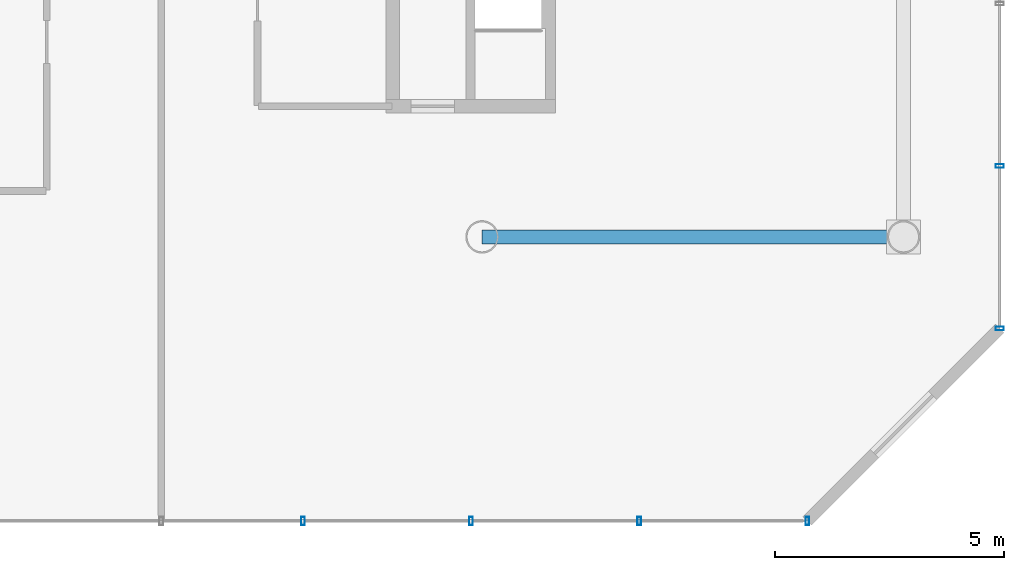
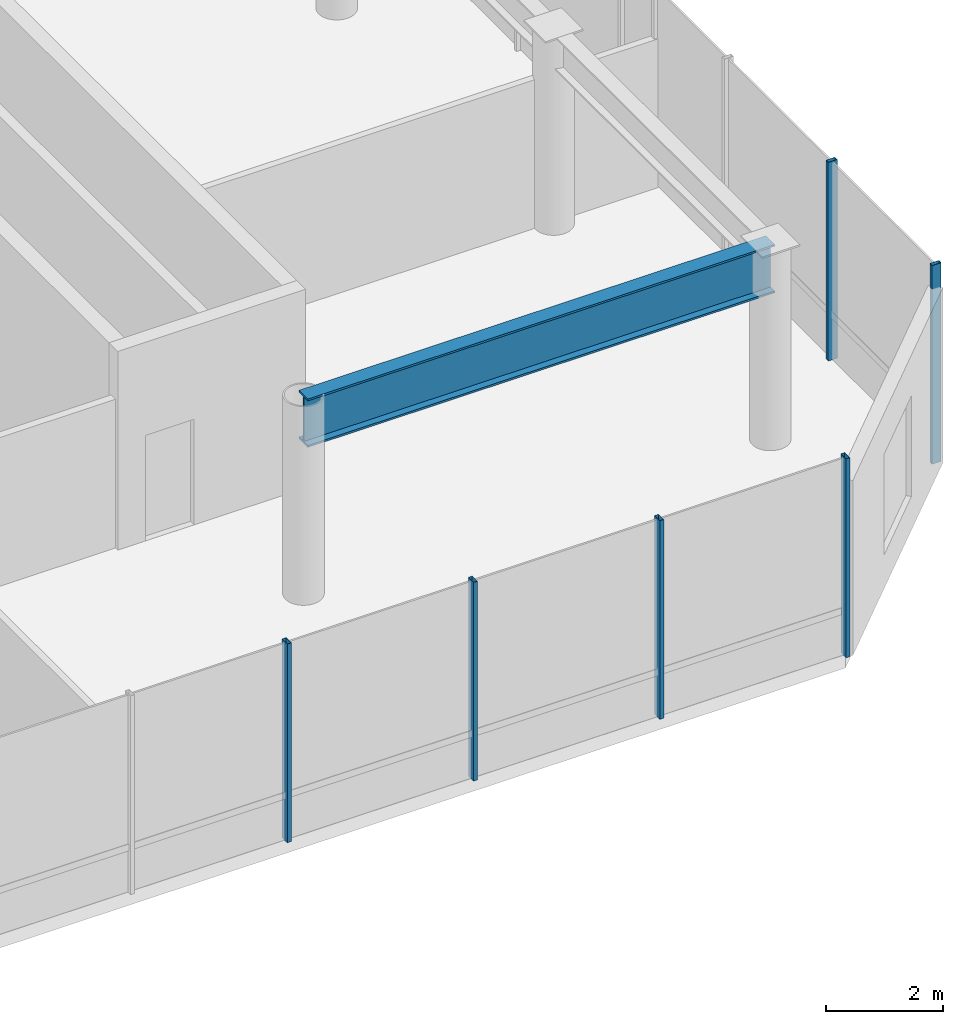
# One storey, part 28 of 43: 6 members, 1 beam, 2 elements without a shape of their own.
"""IFC4 building model written with IfcOpenShell, lengths in metres."""

from ifc_helpers import new_model, si_unit, direction, frame, origin, origin_2d, place, context, subcontext, project, spatial, hollow_rectangle, i_section, extrude, material, layer, layer_set, material_profile, profile_set, type_object, element, aggregate, save


model = new_model("IFC4")

# Units and contexts
model_context = context("Model", 3, precision=1e-05, world=origin(), true_north=direction((0.0, 1.0)))
body_context = subcontext(model_context, "Body", "Model", "MODEL_VIEW")
ifc_project = project(units=[si_unit("LENGTHUNIT", "METRE"), si_unit("AREAUNIT", "SQUARE_METRE"), si_unit("VOLUMEUNIT", "CUBIC_METRE"), si_unit("PLANEANGLEUNIT", "RADIAN"), si_unit("MASSUNIT", "GRAM", prefix="KILO")], contexts=[model_context])

# Site, building, storey
site_placement = place(None, origin())
site = spatial("IfcSite", under=ifc_project, at=site_placement, CompositionType="ELEMENT")
building_placement = place(site_placement, origin())
building = spatial("IfcBuilding", under=site, at=building_placement, Name="Zarrinselat Tower", CompositionType="ELEMENT")
storey_placement = place(building_placement, frame((0.0, 0.0, 5.10009765625)))
storey = spatial("IfcBuildingStorey", under=building, at=storey_placement, Name="L01", CompositionType="ELEMENT", Elevation=5.10009765625)

# Beam
ifc_material_1 = material(Name="Steel S460M", Category="steel")
ifc_material_profile_1 = material_profile(ifc_material_1, i_section(OverallWidth=0.302001953125, OverallDepth=1.008056640625, WebThickness=0.02099609375, FlangeThickness=0.0400390625, at=origin_2d()), Name="HEM 1000")
ifc_profile_set_1 = profile_set([ifc_material_profile_1], Name="Steel S460M")
beam_type = type_object("IfcBeamType", Name="BM-PDTR-HEM1000", PredefinedType="BEAM", material=ifc_profile_set_1)
beam_placement = place(storey_placement, frame((68.0, 11.0, 3.635986328125), z_axis=(1.0, 0.0, 0.0), x_axis=(0.0, 1.0, 0.0)))
element("IfcBeam", 1, at=beam_placement, inside=storey, type_object=beam_type, Name="L01 Podium Transfer Girder E-11", PredefinedType="BEAM", context=body_context, shape_type="SweptSolid", body=[
    extrude(i_section(OverallWidth=0.302001953125, OverallDepth=1.008056640625, WebThickness=0.02099609375, FlangeThickness=0.0400390625, at=origin_2d()), origin(), (0.0, 0.0, 1.0), 9.199951171875),
])

# Curtain wall, members
ifc_material_2 = material(Name="Extruded Aluminium Alloy EN AW-6063 T6", Category="aluminium")
ifc_layer = layer(ifc_material_2, 0.2099609375)
ifc_layer_set = layer_set([ifc_layer], Name="Extruded Aluminium Alloy EN AW-6063 T6")
curtain_wall_type = type_object("IfcCurtainWallType", Name="CWS-POD", PredefinedType="NOTDEFINED", material=ifc_layer_set)
curtain_wall_1_placement = place(storey_placement, origin())
curtain_wall_1 = element("IfcCurtainWall", 2, at=curtain_wall_1_placement, inside=storey, type_object=curtain_wall_type, Name="L01 Unitised Curtain Wall CW-L01-F1", PredefinedType="NOTDEFINED")
ifc_material_3 = material(Name="Extruded Aluminium Alloy EN AW-6063 T6", Category="aluminium")
ifc_material_profile_2 = material_profile(ifc_material_3, hollow_rectangle(XDim=0.080078125, YDim=0.179931640625, WallThickness=0.0048828125, at=origin_2d()), Name="RHS 180x80x5")
ifc_profile_set_2 = profile_set([ifc_material_profile_2], Name="Extruded Aluminium Alloy EN AW-6063 T6")
member_type = type_object("IfcMemberType", Name="MEM-CW-MUL", PredefinedType="MULLION", material=ifc_profile_set_2)
member_1_placement = place(storey_placement, frame((64.090087890625, 4.800048828125, 0.0), z_axis=(0.0, 0.0, 1.0), x_axis=(1.0, 0.0, 0.0)))
member_1 = element("IfcMember", 3, at=member_1_placement, type_object=member_type, Name="CW-L01-F1 Mullion 17", PredefinedType="MULLION", context=body_context, shape_type="SweptSolid", body=[
    extrude(hollow_rectangle(XDim=0.080078125, YDim=0.179931640625, WallThickness=0.0048828125, at=origin_2d()), origin(), (0.0, 0.0, 1.0), 4.139892578125),
])
member_2_placement = place(storey_placement, frame((67.760009765625, 4.800048828125, 0.0), z_axis=(0.0, 0.0, 1.0), x_axis=(1.0, 0.0, 0.0)))
member_2 = element("IfcMember", 4, at=member_2_placement, type_object=member_type, Name="CW-L01-F1 Mullion 18", PredefinedType="MULLION", context=body_context, shape_type="SweptSolid", body=[
    extrude(hollow_rectangle(XDim=0.080078125, YDim=0.179931640625, WallThickness=0.0048828125, at=origin_2d()), origin(), (0.0, 0.0, 1.0), 4.139892578125),
])
member_3_placement = place(storey_placement, frame((71.429931640625, 4.800048828125, 0.0), z_axis=(0.0, 0.0, 1.0), x_axis=(1.0, 0.0, 0.0)))
member_3 = element("IfcMember", 5, at=member_3_placement, type_object=member_type, Name="CW-L01-F1 Mullion 19", PredefinedType="MULLION", context=body_context, shape_type="SweptSolid", body=[
    extrude(hollow_rectangle(XDim=0.080078125, YDim=0.179931640625, WallThickness=0.0048828125, at=origin_2d()), origin(), (0.0, 0.0, 1.0), 4.139892578125),
])
member_4_placement = place(storey_placement, frame((75.10009765625, 4.800048828125, 0.0), z_axis=(0.0, 0.0, 1.0), x_axis=(1.0, 0.0, 0.0)))
member_4 = element("IfcMember", 6, at=member_4_placement, type_object=member_type, Name="CW-L01-F1 Mullion 20", PredefinedType="MULLION", context=body_context, shape_type="SweptSolid", body=[
    extrude(hollow_rectangle(XDim=0.080078125, YDim=0.179931640625, WallThickness=0.0048828125, at=origin_2d()), origin(), (0.0, 0.0, 1.0), 4.139892578125),
])
aggregate(curtain_wall_1, [member_1, member_2, member_3, member_4])

curtain_wall_2_placement = place(storey_placement, origin())
curtain_wall_2 = element("IfcCurtainWall", 7, at=curtain_wall_2_placement, inside=storey, type_object=curtain_wall_type, Name="L01 Unitised Curtain Wall CW-L01-F3", PredefinedType="NOTDEFINED")
member_5_placement = place(storey_placement, frame((79.300048828125, 9.0, 0.0), z_axis=(0.0, 0.0, 1.0), x_axis=(0.0, 1.0, 0.0)))
member_5 = element("IfcMember", 8, at=member_5_placement, type_object=member_type, Name="CW-L01-F3 Mullion 0", PredefinedType="MULLION", context=body_context, shape_type="SweptSolid", body=[
    extrude(hollow_rectangle(XDim=0.080078125, YDim=0.179931640625, WallThickness=0.0048828125, at=origin_2d()), origin(), (0.0, 0.0, 1.0), 4.139892578125),
])
member_6_placement = place(storey_placement, frame((79.300048828125, 12.54541015625, 0.0), z_axis=(0.0, 0.0, 1.0), x_axis=(0.0, 1.0, 0.0)))
member_6 = element("IfcMember", 9, at=member_6_placement, type_object=member_type, Name="CW-L01-F3 Mullion 1", PredefinedType="MULLION", context=body_context, shape_type="SweptSolid", body=[
    extrude(hollow_rectangle(XDim=0.080078125, YDim=0.179931640625, WallThickness=0.0048828125, at=origin_2d()), origin(), (0.0, 0.0, 1.0), 4.139892578125),
])
aggregate(curtain_wall_2, [member_5, member_6])

save(model, "model.ifc")
